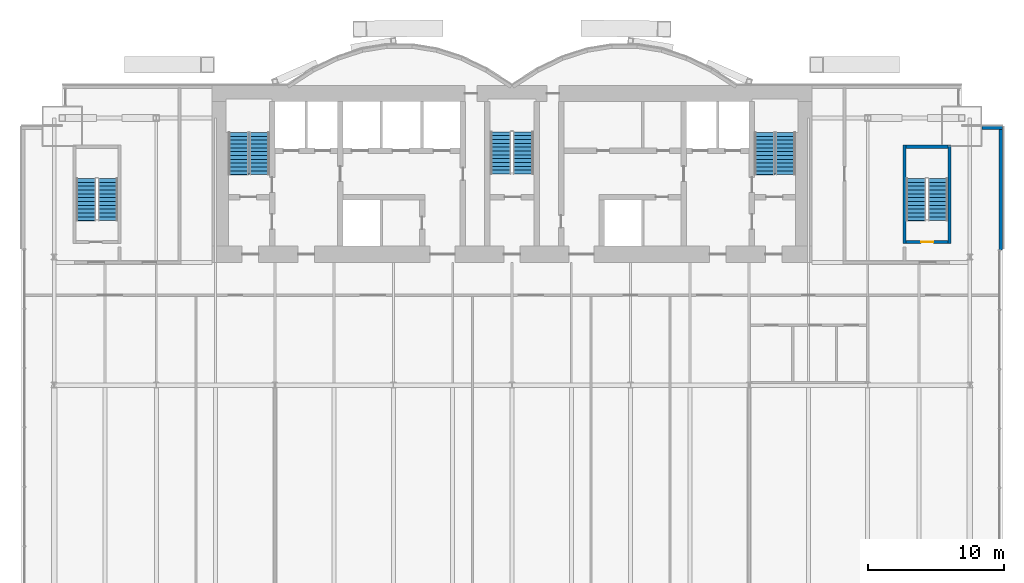
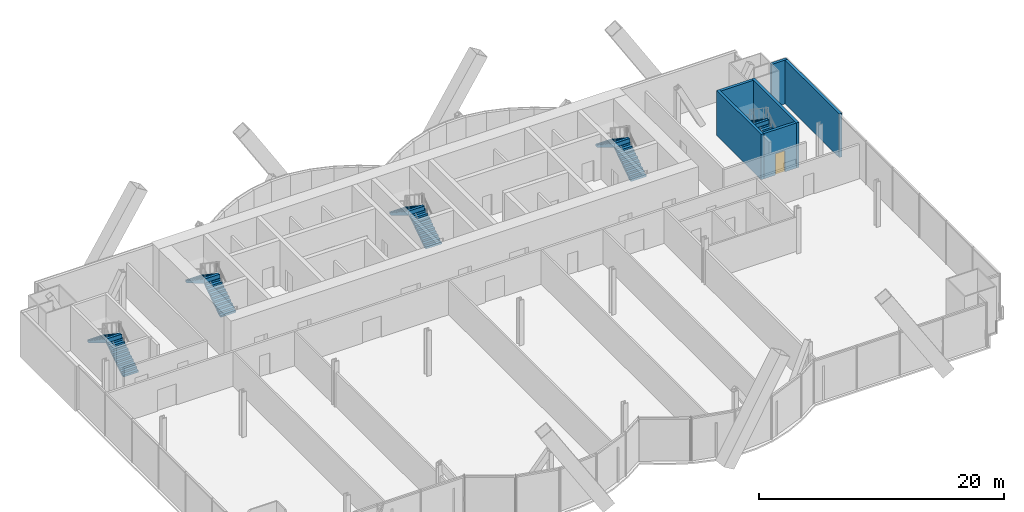
# One storey, part 19 of 23: 10 stair flights, 6 walls, 1 door, 1 opening, 5 elements without a shape of their own.
"""IFC4 building model written with IfcOpenShell, lengths in metres."""

from ifc_helpers import new_model, si_unit, direction, frame, frame_2d, origin, place, context, subcontext, project, spatial, polyline, rectangle, outline, extrude, material, layer, layer_set, layer_usage, type_object, element, fill, aggregate, save


model = new_model("IFC4")

# Units and contexts
model_context = context("Model", 3, precision=1e-05, world=origin(), true_north=direction((0.0, 1.0)))
body_context = subcontext(model_context, "Body", "Model", "MODEL_VIEW")
ifc_project = project(units=[si_unit("LENGTHUNIT", "METRE"), si_unit("AREAUNIT", "SQUARE_METRE"), si_unit("VOLUMEUNIT", "CUBIC_METRE"), si_unit("PLANEANGLEUNIT", "RADIAN"), si_unit("MASSUNIT", "GRAM", prefix="KILO")], contexts=[model_context])

# Site, building, storey
site_placement = place(None, origin())
site = spatial("IfcSite", under=ifc_project, at=site_placement, CompositionType="ELEMENT")
building_placement = place(site_placement, origin())
building = spatial("IfcBuilding", under=site, at=building_placement, Name="Bicima Exchange Tower", CompositionType="ELEMENT")
storey_placement = place(building_placement, frame((0.0, 0.0, 44.0)))
storey = spatial("IfcBuildingStorey", under=building, at=storey_placement, Name="L08", CompositionType="ELEMENT", Elevation=44.0)

# Walls
ifc_material_1 = material(Name="Concrete C50/60", Category="concrete")
ifc_layer_1 = layer(ifc_material_1, 0.25)
ifc_layer_set_1 = layer_set([ifc_layer_1], Name="Concrete C50/60")
wall_type_1 = type_object("IfcWallType", Name="RC stair enclosure wall 250 C50/60", PredefinedType="SHEAR", material=ifc_layer_set_1)
for number, where, z_axis, x_axis, name in (
    (1, (28.800048828125, -11.625, 0.0), (0.0, 0.0, 1.0), (0.0, 1.0, 0.0), "East end exit stair wall W"),
    (2, (32.10009765625, -11.625, 0.0), (0.0, 0.0, 1.0), (0.0, 1.0, 0.0), "East end exit stair wall E"),
):
    element("IfcWall", number, at=place(storey_placement, frame(where, z_axis=z_axis, x_axis=x_axis)), inside=storey, type_object=wall_type_1, Name=name, PredefinedType="SHEAR", context=body_context, shape_type="SweptSolid", body=[
        extrude(rectangle(XDim=7.25, YDim=0.25, at=frame_2d((3.625, 0.0))), origin(), (0.0, 0.0, 1.0), 4.5),
    ])

# Wall, opening, door
wall_1_placement = place(storey_placement, frame((28.925048828125, -11.5, 0.0), z_axis=(0.0, 0.0, 1.0), x_axis=(1.0, 0.0, 0.0)))
wall_1 = element("IfcWall", 3, at=wall_1_placement, inside=storey, type_object=wall_type_1, Name="East end exit stair wall S", PredefinedType="SHEAR", context=body_context, shape_type="SweptSolid", body=[
    extrude(rectangle(XDim=3.050048828125, YDim=0.25, at=frame_2d((1.52490234375, 0.0))), origin(), (0.0, 0.0, 1.0), 4.5),
])
opening_placement = place(wall_1_placement, frame((1.10009765625, 0.0, 0.0)))
opening = element("IfcOpeningElement", 4, at=opening_placement, cuts=wall_1, Name="Opening L08-004", PredefinedType="OPENING", context=body_context, shape_type="SweptSolid", body=[
    extrude(rectangle(XDim=0.89990234375, YDim=2.10009765625, at=frame_2d((0.449951171875, 1.050048828125))), frame((0.0, 0.136962890625, 0.0), z_axis=(0.0, -1.0, 0.0), x_axis=(1.0, 0.0, 0.0)), (0.0, 0.0, 1.0), 0.27392578125),
])
ifc_material_2 = material(Name="Steel fire door leaf", Category="steel")
door_type = type_object("IfcDoorType", Name="Door 900 swing FD60S", OperationType="SINGLE_SWING_LEFT", PredefinedType="DOOR", material=ifc_material_2)
door_placement = place(opening_placement, origin())
door = element("IfcDoor", 5, at=door_placement, inside=storey, type_object=door_type, Name="Door", OperationType="SINGLE_SWING_LEFT", OverallHeight=2.10009765625, OverallWidth=0.89990234375, PredefinedType="DOOR", context=body_context, shape_type="SweptSolid", body=[
    extrude(rectangle(XDim=0.89990234375, YDim=2.10009765625, at=frame_2d((0.449951171875, 1.050048828125))), frame((0.0, 0.02490234375, 0.0), z_axis=(0.0, -1.0, 0.0), x_axis=(1.0, 0.0, 0.0)), (0.0, 0.0, 1.0), 0.050048828125),
])
fill(opening, door)

# Walls
wall_2_placement = place(storey_placement, frame((28.925048828125, -4.5, 0.0), z_axis=(0.0, 0.0, 1.0), x_axis=(1.0, 0.0, 0.0)))
element("IfcWall", 6, at=wall_2_placement, inside=storey, type_object=wall_type_1, Name="East end exit stair wall N", PredefinedType="SHEAR", context=body_context, shape_type="SweptSolid", body=[
    extrude(rectangle(XDim=3.050048828125, YDim=0.25, at=frame_2d((1.52490234375, 0.0))), origin(), (0.0, 0.0, 1.0), 4.5),
])
ifc_material_3 = material(Name="Concrete C40/50", Category="concrete")
ifc_layer_2 = layer(ifc_material_3, 0.25)
ifc_layer_set_2 = layer_set([ifc_layer_2], Name="Concrete C40/50")
ifc_layer_usage = layer_usage(ifc_layer_set_2, "AXIS2", "POSITIVE", -0.125)
wall_type_2 = type_object("IfcWallType", Name="Rear backup wall 250", PredefinedType="STANDARD", material=ifc_layer_set_2)
wall_3_placement = place(storey_placement, frame((35.875, -12.090087890625, 0.0), z_axis=(0.0, 0.0, 1.0), x_axis=(0.0, 1.0, 0.0)))
element("IfcWall", 7, at=wall_3_placement, inside=storey, type_object=wall_type_2, material=ifc_layer_usage, Name="Rear backup wall L08 50", PredefinedType="STANDARD", context=body_context, shape_type="SweptSolid", body=[
    extrude(rectangle(XDim=9.090087890625, YDim=0.25, at=frame_2d((4.544921875, 0.0))), origin(), (0.0, 0.0, 1.0), 4.35009765625),
])
wall_4_placement = place(storey_placement, frame((36.0, -3.125, 0.0), z_axis=(0.0, 0.0, 1.0), x_axis=(-1.0, 0.0, 0.0)))
element("IfcWall", 8, at=wall_4_placement, inside=storey, type_object=wall_type_2, material=ifc_layer_usage, Name="Rear backup wall L08 51", PredefinedType="STANDARD", context=body_context, shape_type="SweptSolid", body=[
    extrude(rectangle(XDim=1.5, YDim=0.25, at=frame_2d((0.75, 0.0))), origin(), (0.0, 0.0, 1.0), 4.35009765625),
])

# Stair, stair flights
stair_type_1 = type_object("IfcStairType", Name="Exit stair", PredefinedType="HALF_TURN_STAIR", material=ifc_material_1)
stair_1_placement = place(storey_placement, origin())
stair_1 = element("IfcStair", 9, at=stair_1_placement, inside=storey, type_object=stair_type_1, Name="L08 West exit stair", PredefinedType="HALF_TURN_STAIR")
stair_flight_type_1 = type_object("IfcStairFlightType", Name="Stair flight RC", PredefinedType="STRAIGHT", material=ifc_material_1)
stair_flight_1_placement = place(storey_placement, frame((-18.52490234375, -6.550048828125, 0.0), z_axis=(0.0, 0.0, 1.0), x_axis=(0.0, 1.0, 0.0)))
stair_flight_1 = element("IfcStairFlight", 10, at=stair_flight_1_placement, type_object=stair_flight_type_1, Name="ST-W flight 1", NumberOfRisers=12, NumberOfTreads=11, PredefinedType="STRAIGHT", RiserHeight=0.1875, TreadLength=0.28, context=body_context, shape_type="SweptSolid", body=[
    extrude(outline(polyline([(0.0, 0.0), (0.0, 0.1875), (0.280029296875, 0.1875), (0.280029296875, 0.375), (0.56005859375, 0.375), (0.56005859375, 0.5625), (0.840087890625, 0.5625), (0.840087890625, 0.75), (1.1201171875, 0.75), (1.1201171875, 0.9375), (1.39990234375, 0.9375), (1.39990234375, 1.125), (1.679931640625, 1.125), (1.679931640625, 1.3125), (1.9599609375, 1.3125), (1.9599609375, 1.5), (2.239990234375, 1.5), (2.239990234375, 1.6875), (2.52001953125, 1.6875), (2.52001953125, 1.875), (2.800048828125, 1.875), (2.800048828125, 2.0625), (3.080078125, 2.0625), (3.080078125, 2.25), (3.080078125, 1.882080078125), (0.26953125, 0.0), (0.0, 0.0)])), frame((0.0, 0.72509765625, 0.0), z_axis=(0.0, -1.0, 0.0), x_axis=(1.0, 0.0, 0.0)), (0.0, 0.0, 1.0), 1.449951171875),
])
stair_flight_2_placement = place(storey_placement, frame((-20.074951171875, -3.469970703125, 2.25), z_axis=(0.0, 0.0, 1.0), x_axis=(0.0, -1.0, 0.0)))
stair_flight_2 = element("IfcStairFlight", 11, at=stair_flight_2_placement, type_object=stair_flight_type_1, Name="ST-W flight 2", NumberOfRisers=12, NumberOfTreads=11, PredefinedType="STRAIGHT", RiserHeight=0.1875, TreadLength=0.28, context=body_context, shape_type="SweptSolid", body=[
    extrude(outline(polyline([(0.0, 0.0), (0.0, 0.1875), (0.280029296875, 0.1875), (0.280029296875, 0.375), (0.56005859375, 0.375), (0.56005859375, 0.5625), (0.840087890625, 0.5625), (0.840087890625, 0.75), (1.1201171875, 0.75), (1.1201171875, 0.9375), (1.39990234375, 0.9375), (1.39990234375, 1.125), (1.679931640625, 1.125), (1.679931640625, 1.3125), (1.9599609375, 1.3125), (1.9599609375, 1.5), (2.239990234375, 1.5), (2.239990234375, 1.6875), (2.52001953125, 1.6875), (2.52001953125, 1.875), (2.800048828125, 1.875), (2.800048828125, 2.0625), (3.080078125, 2.0625), (3.080078125, 2.10400390625), (3.094970703125, 2.10400390625), (3.094970703125, 1.70458984375), (0.26953125, 0.0), (0.0, 0.0)])), frame((0.0, 0.72509765625, 0.0), z_axis=(0.0, -1.0, 0.0), x_axis=(1.0, 0.0, 0.0)), (0.0, 0.0, 1.0), 1.449951171875),
])
aggregate(stair_1, [stair_flight_1, stair_flight_2])

stair_2_placement = place(storey_placement, origin())
stair_2 = element("IfcStair", 12, at=stair_2_placement, inside=storey, type_object=stair_type_1, Name="L08 East exit stair", PredefinedType="HALF_TURN_STAIR")
stair_flight_3_placement = place(storey_placement, frame((20.074951171875, -6.550048828125, 0.0), z_axis=(0.0, 0.0, 1.0), x_axis=(0.0, 1.0, 0.0)))
stair_flight_3 = element("IfcStairFlight", 13, at=stair_flight_3_placement, type_object=stair_flight_type_1, Name="ST-E flight 1", NumberOfRisers=12, NumberOfTreads=11, PredefinedType="STRAIGHT", RiserHeight=0.1875, TreadLength=0.28, context=body_context, shape_type="SweptSolid", body=[
    extrude(outline(polyline([(0.0, 0.0), (0.0, 0.1875), (0.280029296875, 0.1875), (0.280029296875, 0.375), (0.56005859375, 0.375), (0.56005859375, 0.5625), (0.840087890625, 0.5625), (0.840087890625, 0.75), (1.1201171875, 0.75), (1.1201171875, 0.9375), (1.39990234375, 0.9375), (1.39990234375, 1.125), (1.679931640625, 1.125), (1.679931640625, 1.3125), (1.9599609375, 1.3125), (1.9599609375, 1.5), (2.239990234375, 1.5), (2.239990234375, 1.6875), (2.52001953125, 1.6875), (2.52001953125, 1.875), (2.800048828125, 1.875), (2.800048828125, 2.0625), (3.080078125, 2.0625), (3.080078125, 2.25), (3.080078125, 1.882080078125), (0.26953125, 0.0), (0.0, 0.0)])), frame((0.0, 0.72509765625, 0.0), z_axis=(0.0, -1.0, 0.0), x_axis=(1.0, 0.0, 0.0)), (0.0, 0.0, 1.0), 1.449951171875),
])
stair_flight_4_placement = place(storey_placement, frame((18.52490234375, -3.469970703125, 2.25), z_axis=(0.0, 0.0, 1.0), x_axis=(0.0, -1.0, 0.0)))
stair_flight_4 = element("IfcStairFlight", 14, at=stair_flight_4_placement, type_object=stair_flight_type_1, Name="ST-E flight 2", NumberOfRisers=12, NumberOfTreads=11, PredefinedType="STRAIGHT", RiserHeight=0.1875, TreadLength=0.28, context=body_context, shape_type="SweptSolid", body=[
    extrude(outline(polyline([(0.0, 0.0), (0.0, 0.1875), (0.280029296875, 0.1875), (0.280029296875, 0.375), (0.56005859375, 0.375), (0.56005859375, 0.5625), (0.840087890625, 0.5625), (0.840087890625, 0.75), (1.1201171875, 0.75), (1.1201171875, 0.9375), (1.39990234375, 0.9375), (1.39990234375, 1.125), (1.679931640625, 1.125), (1.679931640625, 1.3125), (1.9599609375, 1.3125), (1.9599609375, 1.5), (2.239990234375, 1.5), (2.239990234375, 1.6875), (2.52001953125, 1.6875), (2.52001953125, 1.875), (2.800048828125, 1.875), (2.800048828125, 2.0625), (3.080078125, 2.0625), (3.080078125, 2.10400390625), (3.094970703125, 2.10400390625), (3.094970703125, 1.70458984375), (0.26953125, 0.0), (0.0, 0.0)])), frame((0.0, 0.72509765625, 0.0), z_axis=(0.0, -1.0, 0.0), x_axis=(1.0, 0.0, 0.0)), (0.0, 0.0, 1.0), 1.449951171875),
])
aggregate(stair_2, [stair_flight_3, stair_flight_4])

stair_3_placement = place(storey_placement, origin())
stair_3 = element("IfcStair", 15, at=stair_3_placement, inside=storey, type_object=stair_type_1, Name="L08 West end exit stair", PredefinedType="HALF_TURN_STAIR")
stair_flight_5_placement = place(storey_placement, frame((-29.64990234375, -9.925048828125, 0.0), z_axis=(0.0, 0.0, 1.0), x_axis=(0.0, 1.0, 0.0)))
stair_flight_5 = element("IfcStairFlight", 16, at=stair_flight_5_placement, type_object=stair_flight_type_1, Name="ST-WW flight 1", NumberOfRisers=12, NumberOfTreads=11, PredefinedType="STRAIGHT", RiserHeight=0.1875, TreadLength=0.28, context=body_context, shape_type="SweptSolid", body=[
    extrude(outline(polyline([(0.0, 0.0), (0.0, 0.1875), (0.280029296875, 0.1875), (0.280029296875, 0.375), (0.56005859375, 0.375), (0.56005859375, 0.5625), (0.840087890625, 0.5625), (0.840087890625, 0.75), (1.1201171875, 0.75), (1.1201171875, 0.9375), (1.39990234375, 0.9375), (1.39990234375, 1.125), (1.679931640625, 1.125), (1.679931640625, 1.3125), (1.9599609375, 1.3125), (1.9599609375, 1.5), (2.239990234375, 1.5), (2.239990234375, 1.6875), (2.52001953125, 1.6875), (2.52001953125, 1.875), (2.800048828125, 1.875), (2.800048828125, 2.0625), (3.080078125, 2.0625), (3.080078125, 2.25), (3.080078125, 1.882080078125), (0.26953125, 0.0), (0.0, 0.0)])), frame((0.0, 0.72509765625, 0.0), z_axis=(0.0, -1.0, 0.0), x_axis=(1.0, 0.0, 0.0)), (0.0, 0.0, 1.0), 1.449951171875),
])
stair_flight_6_placement = place(storey_placement, frame((-31.25, -6.844970703125, 2.25), z_axis=(0.0, 0.0, 1.0), x_axis=(0.0, -1.0, 0.0)))
stair_flight_6 = element("IfcStairFlight", 17, at=stair_flight_6_placement, type_object=stair_flight_type_1, Name="ST-WW flight 2", NumberOfRisers=12, NumberOfTreads=11, PredefinedType="STRAIGHT", RiserHeight=0.1875, TreadLength=0.28, context=body_context, shape_type="SweptSolid", body=[
    extrude(outline(polyline([(0.0, 0.0), (0.0, 0.1875), (0.280029296875, 0.1875), (0.280029296875, 0.375), (0.56005859375, 0.375), (0.56005859375, 0.5625), (0.840087890625, 0.5625), (0.840087890625, 0.75), (1.1201171875, 0.75), (1.1201171875, 0.9375), (1.39990234375, 0.9375), (1.39990234375, 1.125), (1.679931640625, 1.125), (1.679931640625, 1.3125), (1.9599609375, 1.3125), (1.9599609375, 1.5), (2.239990234375, 1.5), (2.239990234375, 1.6875), (2.52001953125, 1.6875), (2.52001953125, 1.875), (2.800048828125, 1.875), (2.800048828125, 2.0625), (3.080078125, 2.0625), (3.080078125, 2.10400390625), (3.094970703125, 2.10400390625), (3.094970703125, 1.70458984375), (0.26953125, 0.0), (0.0, 0.0)])), frame((0.0, 0.72509765625, 0.0), z_axis=(0.0, -1.0, 0.0), x_axis=(1.0, 0.0, 0.0)), (0.0, 0.0, 1.0), 1.449951171875),
])
aggregate(stair_3, [stair_flight_5, stair_flight_6])

stair_4_placement = place(storey_placement, origin())
stair_4 = element("IfcStair", 18, at=stair_4_placement, inside=storey, type_object=stair_type_1, Name="L08 East end exit stair", PredefinedType="HALF_TURN_STAIR")
stair_flight_7_placement = place(storey_placement, frame((31.25, -9.925048828125, 0.0), z_axis=(0.0, 0.0, 1.0), x_axis=(0.0, 1.0, 0.0)))
stair_flight_7 = element("IfcStairFlight", 19, at=stair_flight_7_placement, type_object=stair_flight_type_1, Name="ST-EE flight 1", NumberOfRisers=12, NumberOfTreads=11, PredefinedType="STRAIGHT", RiserHeight=0.1875, TreadLength=0.28, context=body_context, shape_type="SweptSolid", body=[
    extrude(outline(polyline([(0.0, 0.0), (0.0, 0.1875), (0.280029296875, 0.1875), (0.280029296875, 0.375), (0.56005859375, 0.375), (0.56005859375, 0.5625), (0.840087890625, 0.5625), (0.840087890625, 0.75), (1.1201171875, 0.75), (1.1201171875, 0.9375), (1.39990234375, 0.9375), (1.39990234375, 1.125), (1.679931640625, 1.125), (1.679931640625, 1.3125), (1.9599609375, 1.3125), (1.9599609375, 1.5), (2.239990234375, 1.5), (2.239990234375, 1.6875), (2.52001953125, 1.6875), (2.52001953125, 1.875), (2.800048828125, 1.875), (2.800048828125, 2.0625), (3.080078125, 2.0625), (3.080078125, 2.25), (3.080078125, 1.882080078125), (0.26953125, 0.0), (0.0, 0.0)])), frame((0.0, 0.72509765625, 0.0), z_axis=(0.0, -1.0, 0.0), x_axis=(1.0, 0.0, 0.0)), (0.0, 0.0, 1.0), 1.449951171875),
])
stair_flight_8_placement = place(storey_placement, frame((29.64990234375, -6.844970703125, 2.25), z_axis=(0.0, 0.0, 1.0), x_axis=(0.0, -1.0, 0.0)))
stair_flight_8 = element("IfcStairFlight", 20, at=stair_flight_8_placement, type_object=stair_flight_type_1, Name="ST-EE flight 2", NumberOfRisers=12, NumberOfTreads=11, PredefinedType="STRAIGHT", RiserHeight=0.1875, TreadLength=0.28, context=body_context, shape_type="SweptSolid", body=[
    extrude(outline(polyline([(0.0, 0.0), (0.0, 0.1875), (0.280029296875, 0.1875), (0.280029296875, 0.375), (0.56005859375, 0.375), (0.56005859375, 0.5625), (0.840087890625, 0.5625), (0.840087890625, 0.75), (1.1201171875, 0.75), (1.1201171875, 0.9375), (1.39990234375, 0.9375), (1.39990234375, 1.125), (1.679931640625, 1.125), (1.679931640625, 1.3125), (1.9599609375, 1.3125), (1.9599609375, 1.5), (2.239990234375, 1.5), (2.239990234375, 1.6875), (2.52001953125, 1.6875), (2.52001953125, 1.875), (2.800048828125, 1.875), (2.800048828125, 2.0625), (3.080078125, 2.0625), (3.080078125, 2.10400390625), (3.094970703125, 2.10400390625), (3.094970703125, 1.70458984375), (0.26953125, 0.0), (0.0, 0.0)])), frame((0.0, 0.72509765625, 0.0), z_axis=(0.0, -1.0, 0.0), x_axis=(1.0, 0.0, 0.0)), (0.0, 0.0, 1.0), 1.449951171875),
])
aggregate(stair_4, [stair_flight_7, stair_flight_8])

stair_type_2 = type_object("IfcStairType", Name="Exit stair 1500", PredefinedType="HALF_TURN_STAIR", material=ifc_material_1)
stair_5_placement = place(storey_placement, origin())
stair_5 = element("IfcStair", 21, at=stair_5_placement, inside=storey, type_object=stair_type_2, Name="L08 Central exit stair", PredefinedType="HALF_TURN_STAIR")
stair_flight_type_2 = type_object("IfcStairFlightType", Name="Stair flight RC 1500", PredefinedType="STRAIGHT", material=ifc_material_1)
stair_flight_9_placement = place(storey_placement, frame((0.824951171875, -6.5, 0.0), z_axis=(0.0, 0.0, 1.0), x_axis=(0.0, 1.0, 0.0)))
stair_flight_9 = element("IfcStairFlight", 22, at=stair_flight_9_placement, type_object=stair_flight_type_2, Name="ST-C flight 1", NumberOfRisers=12, NumberOfTreads=11, PredefinedType="STRAIGHT", RiserHeight=0.1875, TreadLength=0.28, context=body_context, shape_type="SweptSolid", body=[
    extrude(outline(polyline([(0.0, 0.0), (0.0, 0.1875), (0.280029296875, 0.1875), (0.280029296875, 0.375), (0.56005859375, 0.375), (0.56005859375, 0.5625), (0.840087890625, 0.5625), (0.840087890625, 0.75), (1.1201171875, 0.75), (1.1201171875, 0.9375), (1.39990234375, 0.9375), (1.39990234375, 1.125), (1.679931640625, 1.125), (1.679931640625, 1.3125), (1.9599609375, 1.3125), (1.9599609375, 1.5), (2.239990234375, 1.5), (2.239990234375, 1.6875), (2.52001953125, 1.6875), (2.52001953125, 1.875), (2.800048828125, 1.875), (2.800048828125, 2.0625), (3.080078125, 2.0625), (3.080078125, 2.25), (3.080078125, 1.882080078125), (0.26953125, 0.0), (0.0, 0.0)])), frame((0.0, 0.75, 0.0), z_axis=(0.0, -1.0, 0.0), x_axis=(1.0, 0.0, 0.0)), (0.0, 0.0, 1.0), 1.5),
])
stair_flight_10_placement = place(storey_placement, frame((-0.824951171875, -3.419921875, 2.25), z_axis=(0.0, 0.0, 1.0), x_axis=(0.0, -1.0, 0.0)))
stair_flight_10 = element("IfcStairFlight", 23, at=stair_flight_10_placement, type_object=stair_flight_type_2, Name="ST-C flight 2", NumberOfRisers=12, NumberOfTreads=11, PredefinedType="STRAIGHT", RiserHeight=0.1875, TreadLength=0.28, context=body_context, shape_type="SweptSolid", body=[
    extrude(outline(polyline([(0.0, 0.0), (0.0, 0.1875), (0.280029296875, 0.1875), (0.280029296875, 0.375), (0.56005859375, 0.375), (0.56005859375, 0.5625), (0.840087890625, 0.5625), (0.840087890625, 0.75), (1.1201171875, 0.75), (1.1201171875, 0.9375), (1.39990234375, 0.9375), (1.39990234375, 1.125), (1.679931640625, 1.125), (1.679931640625, 1.3125), (1.9599609375, 1.3125), (1.9599609375, 1.5), (2.239990234375, 1.5), (2.239990234375, 1.6875), (2.52001953125, 1.6875), (2.52001953125, 1.875), (2.800048828125, 1.875), (2.800048828125, 2.0625), (3.080078125, 2.0625), (3.080078125, 2.10400390625), (3.094970703125, 2.10400390625), (3.094970703125, 1.70458984375), (0.26953125, 0.0), (0.0, 0.0)])), frame((0.0, 0.75, 0.0), z_axis=(0.0, -1.0, 0.0), x_axis=(1.0, 0.0, 0.0)), (0.0, 0.0, 1.0), 1.5),
])
aggregate(stair_5, [stair_flight_9, stair_flight_10])

save(model, "model.ifc")
